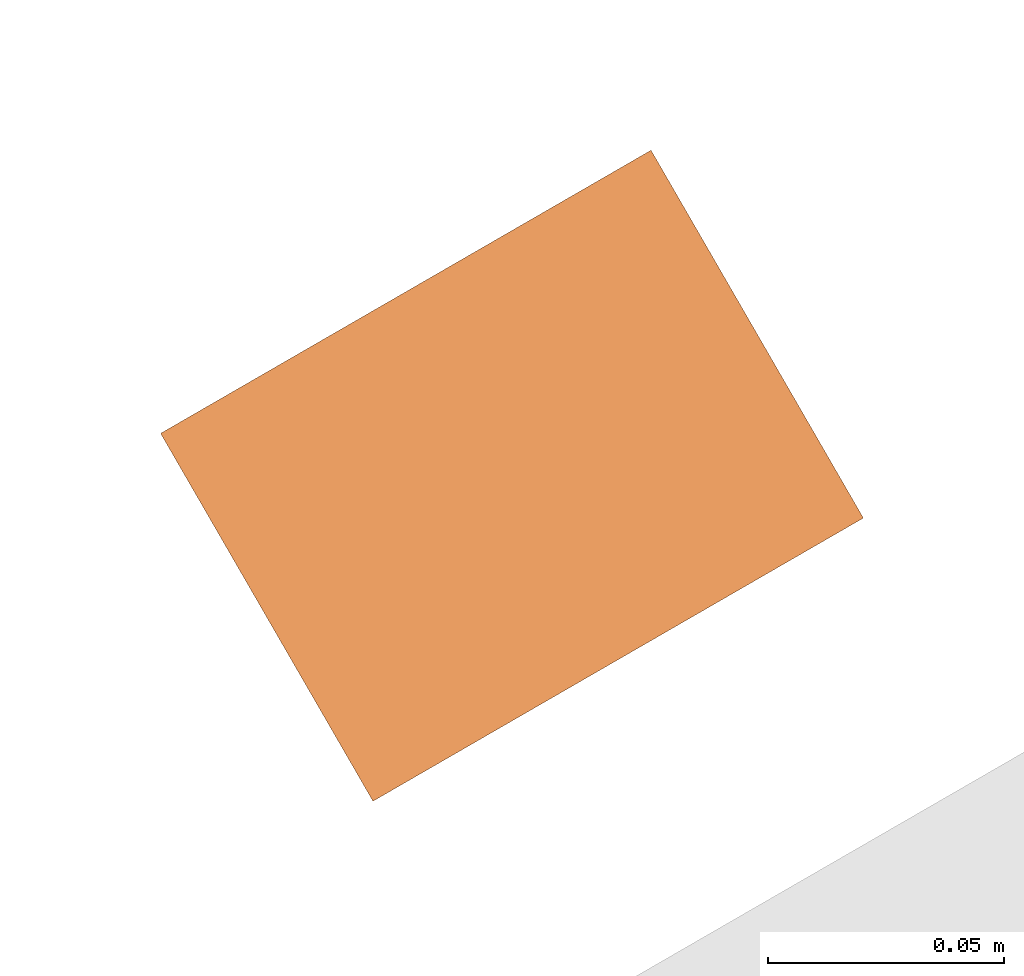
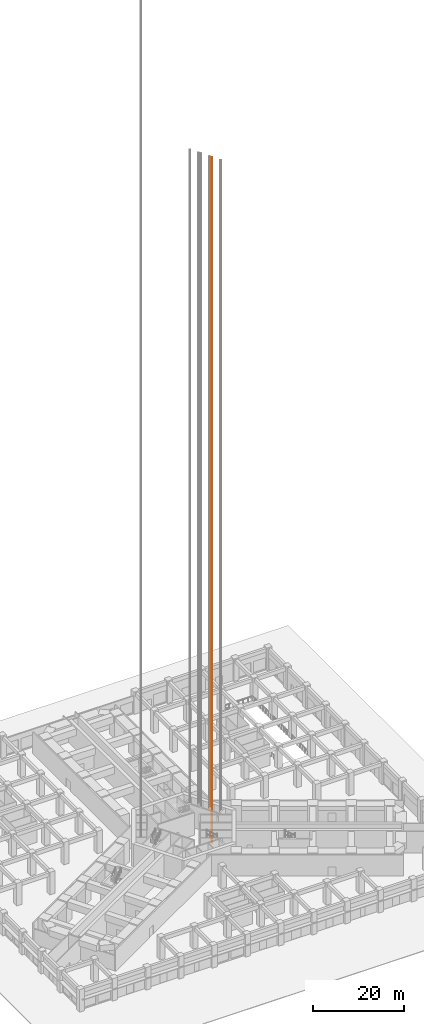
# One storey, part 28 of 33: 1 proxy.
"""IFC4 building model written with IfcOpenShell, lengths in metres."""

import ifcopenshell
import ifcopenshell.guid

model = None  # the IFC model being written
_history = None  # IfcOwnerHistory: only IFC2X3 demands one
_inside = {}  # id of a spatial element -> (the spatial element, [elements in it])
_under = {}  # id of a project, library or spatial element -> (it, [spatial elements below it])
_declared = {}  # id of a project -> (the project, [libraries it declares])
_typed = {}  # id of a type object -> (the type object, [elements of that type])
_made_of = {}  # id of a material, layer set ... -> (it, [elements and type objects made of it])


def new_model(schema):
    """Start an empty IFC model of exactly this schema.

    Asked for "IFC4X3", IfcOpenShell would pick the latest addendum, in which some entities
    have other attributes; the version numbers below select the first issue.
    IFC2X3 requires an IfcOwnerHistory on every rooted entity: one is made here for all.
    """
    global model, _history
    if schema == "IFC4X3":
        model = ifcopenshell.file(schema_version=(4, 3, 0, 0))
    else:
        model = ifcopenshell.file(schema=schema)
    _inside.clear()
    _under.clear()
    _declared.clear()
    _typed.clear()
    _made_of.clear()
    _history = None
    if model.schema == "IFC2X3":
        org = make("IfcOrganization", Name="unknown")
        user = make(
            "IfcPersonAndOrganization",
            ThePerson=make("IfcPerson", FamilyName="unknown"),
            TheOrganization=org,
        )
        app = make(
            "IfcApplication",
            ApplicationDeveloper=org,
            Version="unknown",
            ApplicationFullName="unknown",
            ApplicationIdentifier="unknown",
        )
        _history = make(
            "IfcOwnerHistory",
            OwningUser=user,
            OwningApplication=app,
            ChangeAction="ADDED",
            CreationDate=0,
        )
    return model


def make(cls, **values):
    """One entity of the class cls with the attributes given. An attribute that is None is left unset."""
    return model.create_entity(
        cls, **{name: value for name, value in values.items() if value is not None}
    )


def rooted(cls, **values):
    """An entity with a GlobalId (a new one), such as an element, a storey or a relation."""
    return make(cls, GlobalId=ifcopenshell.guid.new(), OwnerHistory=_history, **values)


def si_unit(unit_type, name, prefix=None):
    """IfcSIUnit, for example si_unit("LENGTHUNIT", "METRE", prefix="MILLI")."""
    return make("IfcSIUnit", UnitType=unit_type, Prefix=prefix, Name=name)


def assignment(units):
    """IfcUnitAssignment: the units of a project."""
    return None if units is None else make("IfcUnitAssignment", Units=units)


def point(xyz):
    """IfcCartesianPoint."""
    return None if xyz is None else make("IfcCartesianPoint", Coordinates=xyz)


def direction(xyz):
    """IfcDirection."""
    return None if xyz is None else make("IfcDirection", DirectionRatios=xyz)


def frame(location, z_axis=None, x_axis=None):
    """IfcAxis2Placement3D, a coordinate frame: its origin and axes. An axis left out is left unset."""
    return make(
        "IfcAxis2Placement3D",
        Location=point(location),
        Axis=direction(z_axis),
        RefDirection=direction(x_axis),
    )


def frame_2d(location, x_axis=None):
    """IfcAxis2Placement2D, a coordinate frame in the plane: its origin and x axis."""
    return make(
        "IfcAxis2Placement2D", Location=point(location), RefDirection=direction(x_axis)
    )


def origin():
    """The frame at (0, 0, 0) with its axes left unset."""
    return frame((0.0, 0.0, 0.0))


def origin_2d():
    """The frame at (0, 0) in the plane with its x axis left unset."""
    return frame_2d((0.0, 0.0))


def place(relative_to, where):
    """IfcLocalPlacement: puts the frame where relative to a parent placement (None: the world)."""
    return make(
        "IfcLocalPlacement", PlacementRelTo=relative_to, RelativePlacement=where
    )


def context(
    kind, dimensions, precision=None, world=None, true_north=None, identifier=None
):
    """IfcGeometricRepresentationContext, for example the 3D "Model" context."""
    return make(
        "IfcGeometricRepresentationContext",
        ContextIdentifier=identifier,
        ContextType=kind,
        CoordinateSpaceDimension=dimensions,
        Precision=precision,
        WorldCoordinateSystem=world,
        TrueNorth=true_north,
    )


def subcontext(parent, identifier, kind, view, scale=None):
    """IfcGeometricRepresentationSubContext, for example "Body" below "Model"."""
    return make(
        "IfcGeometricRepresentationSubContext",
        ContextIdentifier=identifier,
        ContextType=kind,
        ParentContext=parent,
        TargetScale=scale,
        TargetView=view,
    )


def project(units=None, contexts=None):
    """IfcProject with its units and contexts."""
    return rooted(
        "IfcProject",
        Name="project",
        RepresentationContexts=contexts,
        UnitsInContext=assignment(units),
    )


def spatial(cls, under=None, at=None, **own):
    """A site, building, storey or space (cls), placed at a placement, below another one or the project."""
    s = rooted(cls, ObjectPlacement=at, **own)
    if under is not None:
        _under.setdefault(under.id(), (under, []))[1].append(s)
    return s


def profile(cls, at=None, kind="AREA", **sizes):
    """A parametric profile (cls). Its sizes go by their IFC names, for example OverallWidth=200.0."""
    return make(cls, ProfileType=kind, Position=at, **sizes)


def rectangle(**sizes):
    """IfcRectangleProfileDef."""
    return profile("IfcRectangleProfileDef", **sizes)


def extrude(swept, where, along, depth):
    """IfcExtrudedAreaSolid: the profile swept, set in the frame where, extruded along a direction by depth."""
    return make(
        "IfcExtrudedAreaSolid",
        SweptArea=swept,
        Position=where,
        ExtrudedDirection=direction(along),
        Depth=depth,
    )


def shape(context_of_items, identifier, shape_type, items):
    """IfcShapeRepresentation: the items that make up one representation, for example the "Body"."""
    return make(
        "IfcShapeRepresentation",
        ContextOfItems=context_of_items,
        RepresentationIdentifier=identifier,
        RepresentationType=shape_type,
        Items=items,
    )


def material(Name=None, Category=None):
    """IfcMaterial."""
    return make("IfcMaterial", Name=Name, Category=Category)


def made_of(thing, what):
    """Note that an element or type object is made of a material, layer set ...; save() writes the relation."""
    if what is not None:
        _made_of.setdefault(what.id(), (what, []))[1].append(thing)
    return thing


def type_object(cls, material=None, **own):
    """A type object (cls), such as IfcWallType, which elements share."""
    return made_of(rooted(cls, **own), material)


def element(
    cls,
    number,
    at=None,
    inside=None,
    cuts=None,
    type_object=None,
    material=None,
    context=None,
    identifier="Body",
    shape_type=None,
    held_by="IfcProductDefinitionShape",
    body=None,
    shapes=None,
    **own,
):
    """One element of the class cls, such as IfcWall. Its Tag is "e" and its number.

    at: its placement. inside: the storey or other place that contains it. cuts: it is an
    opening in that element (IfcRelVoidsElement). A single representation is given by context,
    identifier, shape_type and body (its items); several are given by shapes. held_by: the class
    of the entity that holds the representations. save() writes the other relations.
    """
    e = rooted(cls, Tag="e%d" % number, ObjectPlacement=at, **own)
    if body is not None:
        shapes = [shape(context, identifier, shape_type, body)]
    if shapes is not None:
        e.Representation = make(held_by, Representations=shapes)
    if inside is not None:
        _inside.setdefault(inside.id(), (inside, []))[1].append(e)
    if cuts is not None:
        rooted(
            "IfcRelVoidsElement", RelatingBuildingElement=cuts, RelatedOpeningElement=e
        )
    if type_object is not None:
        _typed.setdefault(type_object.id(), (type_object, []))[1].append(e)
    return made_of(e, material)


def aggregate(whole, parts):
    """IfcRelAggregates: a whole, such as a stair, and the parts it consists of."""
    return rooted("IfcRelAggregates", RelatingObject=whole, RelatedObjects=parts)


def save(model, path):
    """Write the relations noted so far, then the file.

    IfcRelAggregates (storeys below a building ...), IfcRelContainedInSpatialStructure (elements
    in a storey), IfcRelDefinesByType, IfcRelAssociatesMaterial and IfcRelDeclares: one each for
    every whole, place, type object, material and project.
    """
    for whole, parts in _under.values():
        aggregate(whole, parts)
    for where, things in _inside.values():
        rooted(
            "IfcRelContainedInSpatialStructure",
            RelatedElements=things,
            RelatingStructure=where,
        )
    for kind, things in _typed.values():
        rooted("IfcRelDefinesByType", RelatedObjects=things, RelatingType=kind)
    for what, things in _made_of.values():
        rooted("IfcRelAssociatesMaterial", RelatedObjects=things, RelatingMaterial=what)
    for by, libraries in _declared.values():
        rooted("IfcRelDeclares", RelatingContext=by, RelatedDefinitions=libraries)
    model.write(path)


model = new_model("IFC4")

# Units and contexts
model_context = context("Model", 3, precision=1e-05, world=origin(), true_north=direction((0.0, 1.0)))
body_context = subcontext(model_context, "Body", "Model", "MODEL_VIEW")
ifc_project = project(units=[si_unit("LENGTHUNIT", "METRE"), si_unit("AREAUNIT", "SQUARE_METRE"), si_unit("VOLUMEUNIT", "CUBIC_METRE"), si_unit("PLANEANGLEUNIT", "RADIAN"), si_unit("MASSUNIT", "GRAM", prefix="KILO")], contexts=[model_context])

# Site, building, storey
site_placement = place(None, origin())
site = spatial("IfcSite", under=ifc_project, at=site_placement, CompositionType="ELEMENT")
building_placement = place(site_placement, origin())
building = spatial("IfcBuilding", under=site, at=building_placement, Name="Impinga Residences", CompositionType="ELEMENT")
storey_placement = place(building_placement, origin())
storey = spatial("IfcBuildingStorey", under=building, at=storey_placement, Name="L00", CompositionType="ELEMENT", Elevation=0.0)

# Proxy
ifc_material = material(Name="Steel lift guide rail, galvanised", Category="steel")
building_element_proxy_type = type_object("IfcBuildingElementProxyType", Name="LGR lift guide rail", PredefinedType="USERDEFINED", material=ifc_material)
proxy_placement = place(storey_placement, frame((8.97216796875, 3.222900390625, -3.5), z_axis=(0.0, 0.0, 1.0), x_axis=(-0.5, 0.866025403784, 0.0)))
element("IfcBuildingElementProxy", 1, at=proxy_placement, inside=storey, type_object=building_element_proxy_type, Name="Guide rail P6 2", ObjectType="Lift guide rail", PredefinedType="USERDEFINED", context=body_context, shape_type="SweptSolid", body=[
    extrude(rectangle(XDim=0.090087890625, YDim=0.1201171875, at=origin_2d()), origin(), (0.0, 0.0, 1.0), 183.14990234375),
])

save(model, "model.ifc")
